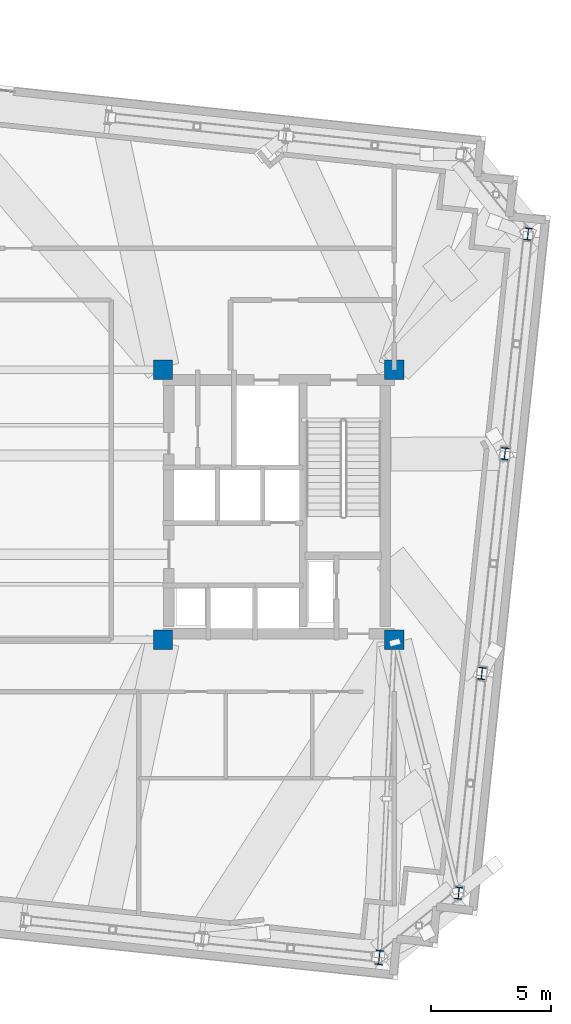
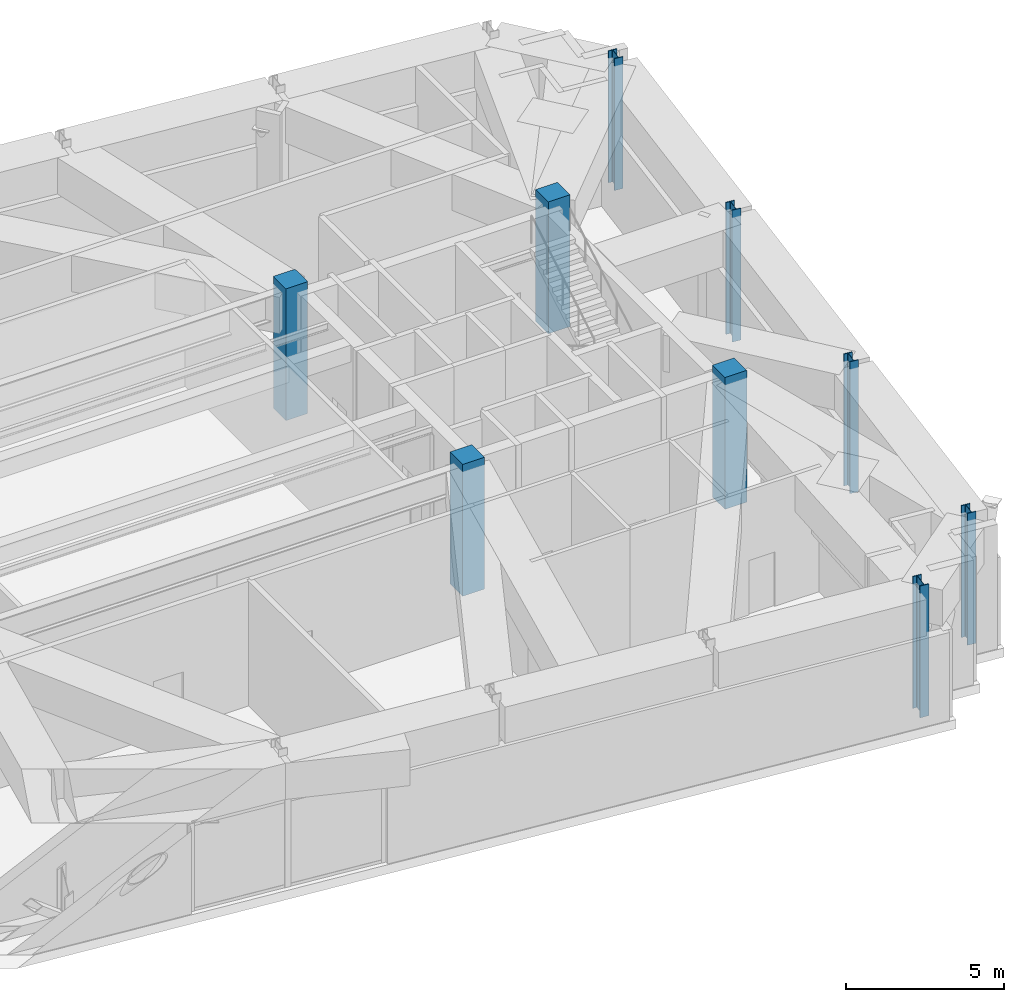
# One storey, part 2 of 21: 9 columns.
"""IFC4 building model written with IfcOpenShell, lengths in metres."""

from ifc_helpers import new_model, si_unit, direction, frame, origin, origin_2d, place, context, subcontext, project, spatial, rectangle, i_section, extrude, material, material_profile, profile_set, type_object, element, save


model = new_model("IFC4")

# Units and contexts
model_context = context("Model", 3, precision=1e-05, world=origin(), true_north=direction((0.0, 1.0)))
body_context = subcontext(model_context, "Body", "Model", "MODEL_VIEW")
ifc_project = project(units=[si_unit("LENGTHUNIT", "METRE"), si_unit("AREAUNIT", "SQUARE_METRE"), si_unit("VOLUMEUNIT", "CUBIC_METRE"), si_unit("PLANEANGLEUNIT", "RADIAN"), si_unit("MASSUNIT", "GRAM", prefix="KILO")], contexts=[model_context])

# Site, building, storey
site_placement = place(None, origin())
site = spatial("IfcSite", under=ifc_project, at=site_placement, CompositionType="ELEMENT")
building_placement = place(site_placement, origin())
building = spatial("IfcBuilding", under=site, at=building_placement, Name="Qobustan Lattice House", CompositionType="ELEMENT")
storey_placement = place(building_placement, frame((0.0, 0.0, 223.199951171875)))
storey = spatial("IfcBuildingStorey", under=building, at=storey_placement, Name="L63", CompositionType="ELEMENT", Elevation=223.199951171875)

# Columns
ifc_material_1 = material(Name="Concrete C50/60", Category="concrete")
ifc_material_profile_1 = material_profile(ifc_material_1, rectangle(XDim=0.800048828125, YDim=0.800048828125, at=origin_2d()), Name="RC800x800")
ifc_profile_set_1 = profile_set([ifc_material_profile_1], Name="Concrete C50/60")
column_type_1 = type_object("IfcColumnType", Name="COL-RC-800", PredefinedType="COLUMN", material=ifc_profile_set_1)
for number, where, z_axis, x_axis, name in (
    (1, (9.199951171875, -5.60009765625, 0.0), (0.0, 0.0, 1.0), (1.0, 0.0, 0.0), "L63 core mega-column CE-SW"),
    (2, (9.199951171875, 5.60009765625, 0.0), (0.0, 0.0, 1.0), (1.0, 0.0, 0.0), "L63 core mega-column CE-NW"),
    (3, (18.800048828125, -5.60009765625, 0.0), (0.0, 0.0, 1.0), (1.0, 0.0, 0.0), "L63 core mega-column CE-SE"),
    (4, (18.800048828125, 5.60009765625, 0.0), (0.0, 0.0, 1.0), (1.0, 0.0, 0.0), "L63 core mega-column CE-NE"),
):
    element("IfcColumn", number, at=place(storey_placement, frame(where, z_axis=z_axis, x_axis=x_axis)), inside=storey, type_object=column_type_1, Name=name, PredefinedType="COLUMN", context=body_context, shape_type="SweptSolid", body=[
        extrude(rectangle(XDim=0.800048828125, YDim=0.800048828125, at=origin_2d()), origin(), (0.0, 0.0, 1.0), 5.10009765625),
    ])
ifc_material_2 = material(Name="Steel S355", Category="steel")
ifc_material_profile_2 = material_profile(ifc_material_2, i_section(OverallWidth=0.300048828125, OverallDepth=0.5, WebThickness=0.014404296875, FlangeThickness=0.028076171875, FilletRadius=0.027099609375, at=origin_2d()), Name="HEB500")
ifc_profile_set_2 = profile_set([ifc_material_profile_2], Name="Steel S355")
column_type_2 = type_object("IfcColumnType", Name="COL-ST-HEB500", PredefinedType="COLUMN", material=ifc_profile_set_2)
for number, where, z_axis, x_axis, name in (
    (5, (21.474365234375, -16.114013671875, 0.0), (0.0, 0.0, 1.0), (0.994521895368, -0.104528463268, 0.0), "L63 B4 perimeter column E1"),
    (6, (22.4326171875, -6.99755859375, 0.0), (0.0, 0.0, 1.0), (0.994521895368, -0.104528463268, 0.0), "L63 B4 perimeter column E2"),
    (7, (23.390869140625, 2.118896484375, 0.0), (0.0, 0.0, 1.0), (0.994521895368, -0.104528463268, 0.0), "L63 B4 perimeter column E3"),
    (8, (24.348876953125, 11.2353515625, 0.0), (0.0, 0.0, 1.0), (0.994521895368, -0.104528463268, 0.0), "L63 B4 perimeter column E4"),
):
    element("IfcColumn", number, at=place(storey_placement, frame(where, z_axis=z_axis, x_axis=x_axis)), inside=storey, type_object=column_type_2, Name=name, PredefinedType="COLUMN", context=body_context, shape_type="SweptSolid", body=[
        extrude(i_section(OverallWidth=0.300048828125, OverallDepth=0.5, WebThickness=0.014404296875, FlangeThickness=0.028076171875, FilletRadius=0.027099609375, at=origin_2d()), origin(), (0.0, 0.0, 1.0), 5.10009765625),
    ])
ifc_material_3 = material(Name="Steel S355", Category="steel")
ifc_material_profile_3 = material_profile(ifc_material_3, i_section(OverallWidth=0.300048828125, OverallDepth=0.60009765625, WebThickness=0.015380859375, FlangeThickness=0.030029296875, FilletRadius=0.027099609375, at=origin_2d()), Name="HEB600")
ifc_profile_set_3 = profile_set([ifc_material_profile_3], Name="Steel S355")
column_type_3 = type_object("IfcColumnType", Name="COL-ST-HEB600", PredefinedType="COLUMN", material=ifc_profile_set_3)
column_placement = place(storey_placement, frame((18.17724609375, -18.783935546875, 0.0), z_axis=(0.0, 0.0, 1.0), x_axis=(0.994521895368, -0.104528463268, 0.0)))
element("IfcColumn", 9, at=column_placement, inside=storey, type_object=column_type_3, Name="L63 B4 perimeter column S7", PredefinedType="COLUMN", context=body_context, shape_type="SweptSolid", body=[
    extrude(i_section(OverallWidth=0.300048828125, OverallDepth=0.60009765625, WebThickness=0.015380859375, FlangeThickness=0.030029296875, FilletRadius=0.027099609375, at=origin_2d()), origin(), (0.0, 0.0, 1.0), 5.10009765625),
])

save(model, "model.ifc")
